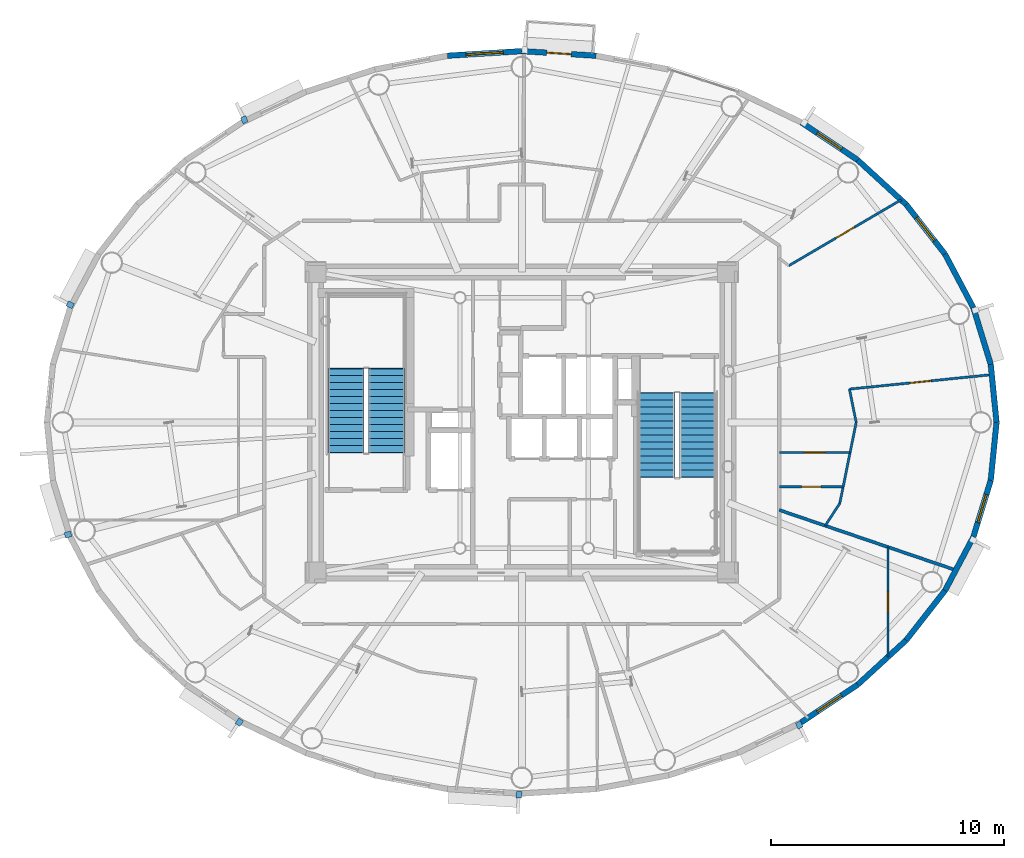
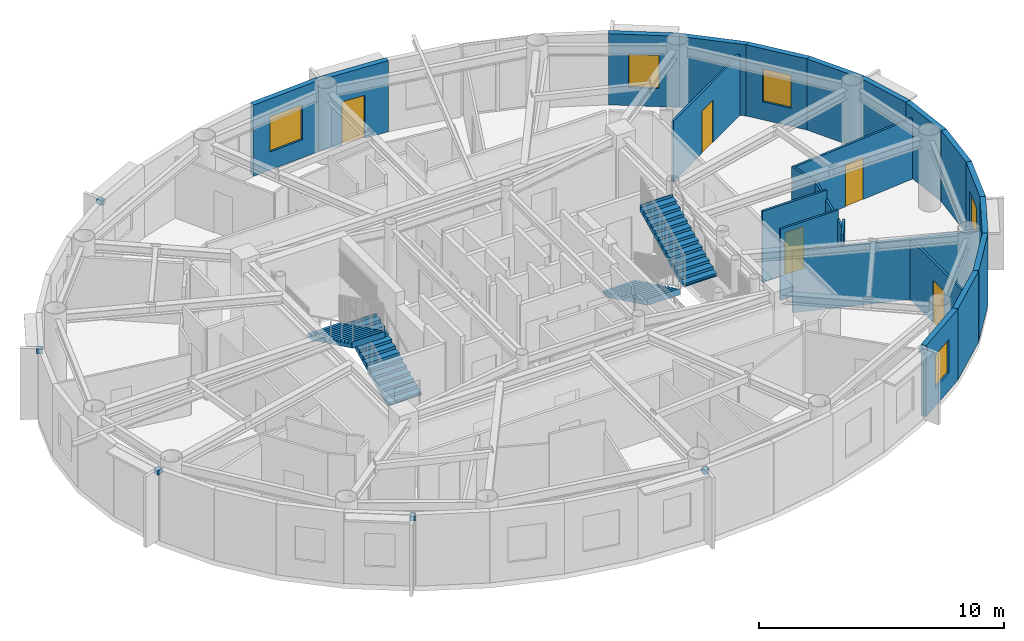
# One storey, part 10 of 17: 23 walls, 6 discrete accessories, 6 doors, 5 windows, 4 stair flights, 11 openings, 2 elements without a shape of their own.
"""IFC4 building model written with IfcOpenShell, lengths in metres."""

from ifc_helpers import new_model, si_unit, direction, frame, frame_2d, origin, origin_2d, place, context, subcontext, project, spatial, polyline, rectangle, outline, extrude, source, transform, mapped, material, layer, layer_set, type_object, element, fill, aggregate, save


model = new_model("IFC4")

# Units and contexts
model_context = context("Model", 3, precision=1e-05, world=origin(), true_north=direction((0.0, 1.0)))
body_context = subcontext(model_context, "Body", "Model", "MODEL_VIEW")
ifc_project = project(units=[si_unit("LENGTHUNIT", "METRE"), si_unit("AREAUNIT", "SQUARE_METRE"), si_unit("VOLUMEUNIT", "CUBIC_METRE"), si_unit("PLANEANGLEUNIT", "RADIAN"), si_unit("MASSUNIT", "GRAM", prefix="KILO")], contexts=[model_context])

# Site, building, storey
site_placement = place(None, origin())
site = spatial("IfcSite", under=ifc_project, at=site_placement, CompositionType="ELEMENT")
building_placement = place(site_placement, origin())
building = spatial("IfcBuilding", under=site, at=building_placement, Name="Linh Dai School and Residence Tower", CompositionType="ELEMENT")
storey_placement = place(building_placement, frame((0.0, 0.0, 331.60009765625)))
storey = spatial("IfcBuildingStorey", under=building, at=storey_placement, Name="L82", CompositionType="ELEMENT", Elevation=331.60009765625)

# Walls
ifc_material_1 = material(Name="Precast Concrete B45 (C35/45)", Category="concrete")
ifc_layer_1 = layer(ifc_material_1, 0.239990234375)
ifc_layer_set_1 = layer_set([ifc_layer_1], Name="Precast Concrete B45 (C35/45)")
wall_type_1 = type_object("IfcWallType", Name="EW-TC-240", PredefinedType="SOLIDWALL", material=ifc_layer_set_1)
wall_1_placement = place(storey_placement, frame((56.125, 29.48681640625, 0.0), z_axis=(0.0, 0.0, 1.0), x_axis=(0.100025963401, -0.994984827344, 0.0)))
element("IfcWall", 1, at=wall_1_placement, inside=storey, type_object=wall_type_1, Name="L82 Terracotta Exterior Wall 01", PredefinedType="SOLIDWALL", context=body_context, shape_type="SweptSolid", body=[
    extrude(rectangle(XDim=2.499267578125, YDim=0.239990234375, at=frame_2d((1.24951171875, 0.0))), origin(), (0.0, 0.0, 1.0), 3.5498046875),
])
wall_2_placement = place(storey_placement, frame((55.381103515625, 31.913330078125, 0.0), z_axis=(0.0, 0.0, 1.0), x_axis=(0.293105547213, -0.956080089842, 0.0)))
element("IfcWall", 2, at=wall_2_placement, inside=storey, type_object=wall_type_1, Name="L82 Terracotta Exterior Wall 02", PredefinedType="SOLIDWALL", context=body_context, shape_type="SweptSolid", body=[
    extrude(rectangle(XDim=2.5380859375, YDim=0.239990234375, at=frame_2d((1.26904296875, 0.0))), origin(), (0.0, 0.0, 1.0), 3.5498046875),
])
wall_3_placement = place(storey_placement, frame((54.160888671875, 34.220703125, 0.0), z_axis=(0.0, 0.0, 1.0), x_axis=(0.467487999989, -0.883999417345, 0.0)))
element("IfcWall", 3, at=wall_3_placement, inside=storey, type_object=wall_type_1, Name="L82 Terracotta Exterior Wall 03", PredefinedType="SOLIDWALL", context=body_context, shape_type="SweptSolid", body=[
    extrude(rectangle(XDim=2.610107421875, YDim=0.239990234375, at=frame_2d((1.30517578125, 0.0))), origin(), (0.0, 0.0, 1.0), 3.5498046875),
])

# Wall, opening, window
wall_4_placement = place(storey_placement, frame((52.4931640625, 36.351806640625, 0.0), z_axis=(0.0, 0.0, 1.0), x_axis=(0.616286367698, -0.78752213492, 0.0)))
wall_4 = element("IfcWall", 4, at=wall_4_placement, inside=storey, type_object=wall_type_1, Name="L82 Terracotta Exterior Wall 04", PredefinedType="SOLIDWALL", context=body_context, shape_type="SweptSolid", body=[
    extrude(rectangle(XDim=2.7060546875, YDim=0.239990234375, at=frame_2d((1.35302734375, 0.0))), origin(), (0.0, 0.0, 1.0), 3.5498046875),
])
opening_1_placement = place(wall_4_placement, frame((0.72802734375, 0.0, 0.89990234375)))
opening_1 = element("IfcOpeningElement", 5, at=opening_1_placement, cuts=wall_4, Name="Opening W3", PredefinedType="OPENING", context=body_context, shape_type="SweptSolid", body=[
    extrude(rectangle(XDim=1.25, YDim=1.64990234375, at=origin_2d()), frame((0.625, 0.1298828125, 0.824951171875), z_axis=(0.0, -1.0, 0.0), x_axis=(1.0, 0.0, 0.0)), (0.0, 0.0, 1.0), 0.260009765625),
])
ifc_material_2 = material(Name="Double Low-E Insulated Glazing", Category="glass")
window_type_1 = type_object("IfcWindowType", Name="WN-RES-1250x1650", PartitioningType="SINGLE_PANEL", PredefinedType="WINDOW", material=ifc_material_2)
shared_shape_1 = source(origin(), body_context, "Body", "SweptSolid", [
    extrude(rectangle(XDim=1.25, YDim=1.64990234375, at=origin_2d()), frame((0.625, 0.030029296875, 0.824951171875), z_axis=(0.0, -1.0, 0.0), x_axis=(1.0, 0.0, 0.0)), (0.0, 0.0, 1.0), 0.06005859375),
])
window_1_placement = place(opening_1_placement, origin())
window_1 = element("IfcWindow", 6, at=window_1_placement, inside=storey, type_object=window_type_1, Name="L82 Dwelling Window U8207-LIV", OverallHeight=1.64990234375, OverallWidth=1.25, PartitioningType="SINGLE_PANEL", PredefinedType="WINDOW", context=body_context, shape_type="MappedRepresentation", body=[
    mapped(shared_shape_1, transform((0.0, 0.0, 0.0), x_axis=(1.0, 0.0, 0.0), y_axis=(0.0, 1.0, 0.0), z_axis=(0.0, 0.0, 1.0), scale=1.0)),
])
fill(opening_1, window_1)

# Wall
wall_5_placement = place(storey_placement, frame((50.418701171875, 38.254150390625, 0.0), z_axis=(0.0, 0.0, 1.0), x_axis=(0.737020907932, -0.675869944051, 0.0)))
element("IfcWall", 7, at=wall_5_placement, inside=storey, type_object=wall_type_1, Name="L82 Terracotta Exterior Wall 05", PredefinedType="SOLIDWALL", context=body_context, shape_type="SweptSolid", body=[
    extrude(rectangle(XDim=2.814697265625, YDim=0.239990234375, at=frame_2d((1.4072265625, 0.0))), origin(), (0.0, 0.0, 1.0), 3.5498046875),
])

# Wall, opening, window
wall_6_placement = place(storey_placement, frame((47.98779296875, 39.880126953125, 0.0), z_axis=(0.0, 0.0, 1.0), x_axis=(0.831201688654, -0.555970999944, 0.0)))
wall_6 = element("IfcWall", 8, at=wall_6_placement, inside=storey, type_object=wall_type_1, Name="L82 Terracotta Exterior Wall 06", PredefinedType="SOLIDWALL", context=body_context, shape_type="SweptSolid", body=[
    extrude(rectangle(XDim=2.924560546875, YDim=0.239990234375, at=frame_2d((1.46240234375, 0.0))), origin(), (0.0, 0.0, 1.0), 3.5498046875),
])
opening_2_placement = place(wall_6_placement, frame((0.837158203125, 0.0, 0.89990234375)))
opening_2 = element("IfcOpeningElement", 9, at=opening_2_placement, cuts=wall_6, Name="Opening W3", PredefinedType="OPENING", context=body_context, shape_type="SweptSolid", body=[
    extrude(rectangle(XDim=1.25, YDim=1.64990234375, at=origin_2d()), frame((0.625, 0.1298828125, 0.824951171875), z_axis=(0.0, -1.0, 0.0), x_axis=(1.0, 0.0, 0.0)), (0.0, 0.0, 1.0), 0.260009765625),
])
window_2_placement = place(opening_2_placement, origin())
window_2 = element("IfcWindow", 10, at=window_2_placement, inside=storey, type_object=window_type_1, Name="L82 Exterior Window 06.1", OverallHeight=1.64990234375, OverallWidth=1.25, PartitioningType="SINGLE_PANEL", PredefinedType="WINDOW", context=body_context, shape_type="MappedRepresentation", body=[
    mapped(shared_shape_1, transform((0.0, 0.0, 0.0), x_axis=(1.0, 0.0, 0.0), y_axis=(0.0, 1.0, 0.0), z_axis=(0.0, 0.0, 1.0), scale=1.0)),
])
fill(opening_2, window_2)

# Wall, opening, door
wall_7_placement = place(storey_placement, frame((36.0, 42.929931640625, 0.0), z_axis=(0.0, 0.0, 1.0), x_axis=(0.998109204399, -0.061465568355, 0.0)))
wall_7 = element("IfcWall", 11, at=wall_7_placement, inside=storey, type_object=wall_type_1, Name="L82 Terracotta Exterior Wall 10", PredefinedType="SOLIDWALL", context=body_context, shape_type="SweptSolid", body=[
    extrude(rectangle(XDim=3.197509765625, YDim=0.239990234375, at=frame_2d((1.5986328125, 0.0))), origin(), (0.0, 0.0, 1.0), 3.5498046875),
])
opening_3_placement = place(wall_7_placement, frame((1.07373046875, 0.0, 0.0)))
opening_3 = element("IfcOpeningElement", 12, at=opening_3_placement, cuts=wall_7, Name="Opening BD1", PredefinedType="OPENING", context=body_context, shape_type="SweptSolid", body=[
    extrude(rectangle(XDim=1.050048828125, YDim=2.14990234375, at=origin_2d()), frame((0.52490234375, 0.1298828125, 1.074951171875), z_axis=(0.0, -1.0, 0.0), x_axis=(1.0, 0.0, 0.0)), (0.0, 0.0, 1.0), 0.260009765625),
])
ifc_material_3 = material(Name="Double-Glazed Balcony Door", Category="glass")
door_type_1 = type_object("IfcDoorType", Name="DR-BALC-1050x2150", OperationType="NOTDEFINED", PredefinedType="DOOR", material=ifc_material_3)
shared_shape_2 = source(origin(), body_context, "Body", "SweptSolid", [
    extrude(rectangle(XDim=1.050048828125, YDim=2.14990234375, at=origin_2d()), frame((0.52490234375, 0.02490234375, 1.074951171875), z_axis=(0.0, -1.0, 0.0), x_axis=(1.0, 0.0, 0.0)), (0.0, 0.0, 1.0), 0.050048828125),
])
door_1_placement = place(opening_3_placement, origin())
door_1 = element("IfcDoor", 13, at=door_1_placement, inside=storey, type_object=door_type_1, Name="L82 Glazed Balcony Door 10", OperationType="SINGLE_SWING_LEFT", OverallHeight=2.14990234375, OverallWidth=1.050048828125, PredefinedType="DOOR", context=body_context, shape_type="MappedRepresentation", body=[
    mapped(shared_shape_2, transform((0.0, 0.0, 0.0), x_axis=(1.0, 0.0, 0.0), y_axis=(0.0, 1.0, 0.0), z_axis=(0.0, 0.0, 1.0), scale=1.0)),
])
fill(opening_3, door_1)

# Wall, opening, window
wall_8_placement = place(storey_placement, frame((32.80859375, 42.7333984375, 0.0), z_axis=(0.0, 0.0, 1.0), x_axis=(0.998109204399, 0.061465568355, 0.0)))
wall_8 = element("IfcWall", 14, at=wall_8_placement, inside=storey, type_object=wall_type_1, Name="L82 Terracotta Exterior Wall 11", PredefinedType="SOLIDWALL", context=body_context, shape_type="SweptSolid", body=[
    extrude(rectangle(XDim=3.197509765625, YDim=0.239990234375, at=frame_2d((1.5986328125, 0.0))), origin(), (0.0, 0.0, 1.0), 3.5498046875),
])
opening_4_placement = place(wall_8_placement, frame((0.798828125, 0.0, 0.89990234375)))
opening_4 = element("IfcOpeningElement", 15, at=opening_4_placement, cuts=wall_8, Name="Opening W2", PredefinedType="OPENING", context=body_context, shape_type="SweptSolid", body=[
    extrude(rectangle(XDim=1.60009765625, YDim=1.75, at=origin_2d()), frame((0.800048828125, 0.1298828125, 0.875), z_axis=(0.0, -1.0, 0.0), x_axis=(1.0, 0.0, 0.0)), (0.0, 0.0, 1.0), 0.260009765625),
])
window_type_2 = type_object("IfcWindowType", Name="WN-RES-1600x1750", PartitioningType="DOUBLE_PANEL_VERTICAL", PredefinedType="WINDOW", material=ifc_material_2)
shared_shape_3 = source(origin(), body_context, "Body", "SweptSolid", [
    extrude(rectangle(XDim=1.60009765625, YDim=1.75, at=origin_2d()), frame((0.800048828125, 0.030029296875, 0.875), z_axis=(0.0, -1.0, 0.0), x_axis=(1.0, 0.0, 0.0)), (0.0, 0.0, 1.0), 0.06005859375),
])
window_3_placement = place(opening_4_placement, origin())
window_3 = element("IfcWindow", 16, at=window_3_placement, inside=storey, type_object=window_type_2, Name="L82 Exterior Window 11.1", OverallHeight=1.75, OverallWidth=1.60009765625, PartitioningType="DOUBLE_PANEL_VERTICAL", PredefinedType="WINDOW", context=body_context, shape_type="MappedRepresentation", body=[
    mapped(shared_shape_3, transform((0.0, 0.0, 0.0), x_axis=(1.0, 0.0, 0.0), y_axis=(0.0, 1.0, 0.0), z_axis=(0.0, 0.0, 1.0), scale=1.0)),
])
fill(opening_4, window_3)

wall_9_placement = place(storey_placement, frame((50.418701171875, 15.745849609375, 0.0), z_axis=(0.0, 0.0, 1.0), x_axis=(-0.831201688654, -0.555970999944, 0.0)))
wall_9 = element("IfcWall", 17, at=wall_9_placement, inside=storey, type_object=wall_type_1, Name="L82 Terracotta Exterior Wall 35", PredefinedType="SOLIDWALL", context=body_context, shape_type="SweptSolid", body=[
    extrude(rectangle(XDim=2.924560546875, YDim=0.239990234375, at=frame_2d((1.46240234375, 0.0))), origin(), (0.0, 0.0, 1.0), 3.5498046875),
])
opening_5_placement = place(wall_9_placement, frame((0.837158203125, 0.0, 0.89990234375)))
opening_5 = element("IfcOpeningElement", 18, at=opening_5_placement, cuts=wall_9, Name="Opening W3", PredefinedType="OPENING", context=body_context, shape_type="SweptSolid", body=[
    extrude(rectangle(XDim=1.25, YDim=1.64990234375, at=origin_2d()), frame((0.625, 0.1298828125, 0.824951171875), z_axis=(0.0, -1.0, 0.0), x_axis=(1.0, 0.0, 0.0)), (0.0, 0.0, 1.0), 0.260009765625),
])
window_4_placement = place(opening_5_placement, origin())
window_4 = element("IfcWindow", 19, at=window_4_placement, inside=storey, type_object=window_type_1, Name="L82 Dwelling Window U8206-LIV", OverallHeight=1.64990234375, OverallWidth=1.25, PartitioningType="SINGLE_PANEL", PredefinedType="WINDOW", context=body_context, shape_type="MappedRepresentation", body=[
    mapped(shared_shape_1, transform((0.0, 0.0, 0.0), x_axis=(1.0, 0.0, 0.0), y_axis=(0.0, 1.0, 0.0), z_axis=(0.0, 0.0, 1.0), scale=1.0)),
])
fill(opening_5, window_4)

# Walls
wall_10_placement = place(storey_placement, frame((52.4931640625, 17.648193359375, 0.0), z_axis=(0.0, 0.0, 1.0), x_axis=(-0.737020907932, -0.675869944051, 0.0)))
element("IfcWall", 20, at=wall_10_placement, inside=storey, type_object=wall_type_1, Name="L82 Terracotta Exterior Wall 36", PredefinedType="SOLIDWALL", context=body_context, shape_type="SweptSolid", body=[
    extrude(rectangle(XDim=2.814697265625, YDim=0.239990234375, at=frame_2d((1.4072265625, 0.0))), origin(), (0.0, 0.0, 1.0), 3.5498046875),
])
wall_11_placement = place(storey_placement, frame((54.160888671875, 19.779296875, 0.0), z_axis=(0.0, 0.0, 1.0), x_axis=(-0.616286367698, -0.78752213492, 0.0)))
element("IfcWall", 21, at=wall_11_placement, inside=storey, type_object=wall_type_1, Name="L82 Terracotta Exterior Wall 37", PredefinedType="SOLIDWALL", context=body_context, shape_type="SweptSolid", body=[
    extrude(rectangle(XDim=2.7060546875, YDim=0.239990234375, at=frame_2d((1.35302734375, 0.0))), origin(), (0.0, 0.0, 1.0), 3.5498046875),
])
wall_12_placement = place(storey_placement, frame((55.381103515625, 22.086669921875, 0.0), z_axis=(0.0, 0.0, 1.0), x_axis=(-0.467487999989, -0.883999417345, 0.0)))
element("IfcWall", 22, at=wall_12_placement, inside=storey, type_object=wall_type_1, Name="L82 Terracotta Exterior Wall 38", PredefinedType="SOLIDWALL", context=body_context, shape_type="SweptSolid", body=[
    extrude(rectangle(XDim=2.610107421875, YDim=0.239990234375, at=frame_2d((1.30517578125, 0.0))), origin(), (0.0, 0.0, 1.0), 3.5498046875),
])

# Wall, opening, window
wall_13_placement = place(storey_placement, frame((56.125, 24.51318359375, 0.0), z_axis=(0.0, 0.0, 1.0), x_axis=(-0.293105547213, -0.956080089842, 0.0)))
wall_13 = element("IfcWall", 23, at=wall_13_placement, inside=storey, type_object=wall_type_1, Name="L82 Terracotta Exterior Wall 39", PredefinedType="SOLIDWALL", context=body_context, shape_type="SweptSolid", body=[
    extrude(rectangle(XDim=2.5380859375, YDim=0.239990234375, at=frame_2d((1.26904296875, 0.0))), origin(), (0.0, 0.0, 1.0), 3.5498046875),
])
opening_6_placement = place(wall_13_placement, frame((0.64404296875, 0.0, 0.89990234375)))
opening_6 = element("IfcOpeningElement", 24, at=opening_6_placement, cuts=wall_13, Name="Opening W3", PredefinedType="OPENING", context=body_context, shape_type="SweptSolid", body=[
    extrude(rectangle(XDim=1.25, YDim=1.64990234375, at=origin_2d()), frame((0.625, 0.1298828125, 0.824951171875), z_axis=(0.0, -1.0, 0.0), x_axis=(1.0, 0.0, 0.0)), (0.0, 0.0, 1.0), 0.260009765625),
])
window_5_placement = place(opening_6_placement, origin())
window_5 = element("IfcWindow", 25, at=window_5_placement, inside=storey, type_object=window_type_1, Name="L82 Dwelling Window U8207-BD1", OverallHeight=1.64990234375, OverallWidth=1.25, PartitioningType="SINGLE_PANEL", PredefinedType="WINDOW", context=body_context, shape_type="MappedRepresentation", body=[
    mapped(shared_shape_1, transform((0.0, 0.0, 0.0), x_axis=(1.0, 0.0, 0.0), y_axis=(0.0, 1.0, 0.0), z_axis=(0.0, 0.0, 1.0), scale=1.0)),
])
fill(opening_6, window_5)

# Walls
wall_14_placement = place(storey_placement, frame((56.375, 27.0, 0.0), z_axis=(0.0, 0.0, 1.0), x_axis=(-0.100025963401, -0.994984827344, 0.0)))
element("IfcWall", 26, at=wall_14_placement, inside=storey, type_object=wall_type_1, Name="L82 Terracotta Exterior Wall 40", PredefinedType="SOLIDWALL", context=body_context, shape_type="SweptSolid", body=[
    extrude(rectangle(XDim=2.499267578125, YDim=0.239990234375, at=frame_2d((1.24951171875, 0.0))), origin(), (0.0, 0.0, 1.0), 3.5498046875),
])
ifc_material_4 = material(Name="Autoclaved Aerated Concrete Blockwork", Category="masonry")
ifc_layer_2 = layer(ifc_material_4, 0.135009765625)
ifc_layer_set_2 = layer_set([ifc_layer_2], Name="Autoclaved Aerated Concrete Blockwork")
wall_type_2 = type_object("IfcWallType", Name="IW-CORR-135-EI90", PredefinedType="PARTITIONING", material=ifc_layer_set_2)
wall_15_placement = place(storey_placement, frame((47.050048828125, 23.236572265625, 0.0), z_axis=(0.0, 0.0, 1.0), x_axis=(0.946614475353, -0.32236785673, 0.0)))
element("IfcWall", 27, at=wall_15_placement, inside=storey, type_object=wall_type_2, Name="L82 Interior Partition Wall 083", PredefinedType="PARTITIONING", context=body_context, shape_type="SweptSolid", body=[
    extrude(rectangle(XDim=8.00732421875, YDim=0.135009765625, at=frame_2d((4.003662109375, 0.0))), origin(), (0.0, 0.0, 1.0), 3.034912109375),
])

# Wall, opening, door
ifc_material_5 = material(Name="Gypsum Plasterboard Acoustic Stud Partition", Category="masonry")
ifc_layer_3 = layer(ifc_material_5, 0.10009765625)
ifc_layer_set_3 = layer_set([ifc_layer_3], Name="Gypsum Plasterboard Acoustic Stud Partition")
wall_type_3 = type_object("IfcWallType", Name="IW-UNIT-100", PredefinedType="PARTITIONING", material=ifc_layer_set_3)
wall_16_placement = place(storey_placement, frame((47.050048828125, 24.2353515625, 0.0), z_axis=(0.0, 0.0, 1.0), x_axis=(1.0, 0.0, 0.0)))
wall_16 = element("IfcWall", 28, at=wall_16_placement, inside=storey, type_object=wall_type_3, Name="L82 Interior Partition Wall 084", PredefinedType="PARTITIONING", context=body_context, shape_type="SweptSolid", body=[
    extrude(rectangle(XDim=2.74072265625, YDim=0.10009765625, at=frame_2d((1.370361328125, 0.0))), origin(), (0.0, 0.0, 1.0), 3.5498046875),
])
opening_7_placement = place(wall_16_placement, frame((0.96044921875, 0.0, 0.0)))
opening_7 = element("IfcOpeningElement", 29, at=opening_7_placement, cuts=wall_16, Name="Opening D06", PredefinedType="OPENING", context=body_context, shape_type="SweptSolid", body=[
    extrude(rectangle(XDim=0.820068359375, YDim=2.10009765625, at=origin_2d()), frame((0.41015625, 0.06005859375, 1.050048828125), z_axis=(0.0, -1.0, 0.0), x_axis=(1.0, 0.0, 0.0)), (0.0, 0.0, 1.0), 0.1201171875),
])
ifc_material_6 = material(Name="Moisture-Resistant Timber Bathroom Door", Category="wood")
door_type_2 = type_object("IfcDoorType", Name="DR-WET-820x2100", OperationType="NOTDEFINED", PredefinedType="DOOR", material=ifc_material_6)
shared_shape_4 = source(origin(), body_context, "Body", "SweptSolid", [
    extrude(rectangle(XDim=0.820068359375, YDim=2.10009765625, at=origin_2d()), frame((0.41015625, 0.02490234375, 1.050048828125), z_axis=(0.0, -1.0, 0.0), x_axis=(1.0, 0.0, 0.0)), (0.0, 0.0, 1.0), 0.050048828125),
])
door_2_placement = place(opening_7_placement, origin())
door_2 = element("IfcDoor", 30, at=door_2_placement, inside=storey, type_object=door_type_2, Name="L82 Apartment U8207 Bathroom 1 Door", OperationType="SINGLE_SWING_RIGHT", OverallHeight=2.10009765625, OverallWidth=0.820068359375, PredefinedType="DOOR", context=body_context, shape_type="MappedRepresentation", body=[
    mapped(shared_shape_4, transform((0.0, 0.0, 0.0), x_axis=(1.0, 0.0, 0.0), y_axis=(0.0, 1.0, 0.0), z_axis=(0.0, 0.0, 1.0), scale=1.0)),
])
fill(opening_7, door_2)

wall_17_placement = place(storey_placement, frame((47.050048828125, 25.705078125, 0.0), z_axis=(0.0, 0.0, 1.0), x_axis=(1.0, 0.0, 0.0)))
wall_17 = element("IfcWall", 31, at=wall_17_placement, inside=storey, type_object=wall_type_3, Name="L82 Interior Partition Wall 085", PredefinedType="PARTITIONING", context=body_context, shape_type="SweptSolid", body=[
    extrude(rectangle(XDim=3.0380859375, YDim=0.10009765625, at=frame_2d((1.51904296875, 0.0))), origin(), (0.0, 0.0, 1.0), 3.5498046875),
])
opening_8_placement = place(wall_17_placement, frame((1.069091796875, 0.0, 0.0)))
opening_8 = element("IfcOpeningElement", 32, at=opening_8_placement, cuts=wall_17, Name="Opening D05", PredefinedType="OPENING", context=body_context, shape_type="SweptSolid", body=[
    extrude(rectangle(XDim=0.89990234375, YDim=2.10009765625, at=origin_2d()), frame((0.449951171875, 0.06005859375, 1.050048828125), z_axis=(0.0, -1.0, 0.0), x_axis=(1.0, 0.0, 0.0)), (0.0, 0.0, 1.0), 0.1201171875),
])
ifc_material_7 = material(Name="Engineered Timber Internal Door", Category="wood")
door_type_3 = type_object("IfcDoorType", Name="DR-INT-900x2100", OperationType="NOTDEFINED", PredefinedType="DOOR", material=ifc_material_7)
shared_shape_5 = source(origin(), body_context, "Body", "SweptSolid", [
    extrude(rectangle(XDim=0.89990234375, YDim=2.10009765625, at=origin_2d()), frame((0.449951171875, 0.02490234375, 1.050048828125), z_axis=(0.0, -1.0, 0.0), x_axis=(1.0, 0.0, 0.0)), (0.0, 0.0, 1.0), 0.050048828125),
])
door_3_placement = place(opening_8_placement, origin())
door_3 = element("IfcDoor", 33, at=door_3_placement, inside=storey, type_object=door_type_3, Name="L82 Apartment U8207 Kitchen Door", OperationType="SINGLE_SWING_LEFT", OverallHeight=2.10009765625, OverallWidth=0.89990234375, PredefinedType="DOOR", context=body_context, shape_type="MappedRepresentation", body=[
    mapped(shared_shape_5, transform((0.0, 0.0, 0.0), x_axis=(1.0, 0.0, 0.0), y_axis=(0.0, 1.0, 0.0), z_axis=(0.0, 0.0, 1.0), scale=1.0)),
])
fill(opening_8, door_3)

wall_18_placement = place(storey_placement, frame((47.4599609375, 33.722900390625, 0.0), z_axis=(0.0, 0.0, 1.0), x_axis=(0.862533037069, 0.506000750952, 0.0)))
wall_18 = element("IfcWall", 34, at=wall_18_placement, inside=storey, type_object=wall_type_3, Name="L82 Interior Partition Wall 087", PredefinedType="PARTITIONING", context=body_context, shape_type="SweptSolid", body=[
    extrude(rectangle(XDim=5.591064453125, YDim=0.10009765625, at=frame_2d((2.79541015625, 0.0))), origin(), (0.0, 0.0, 1.0), 3.034912109375),
])
opening_9_placement = place(wall_18_placement, frame((2.345458984375, 0.0, 0.0)))
opening_9 = element("IfcOpeningElement", 35, at=opening_9_placement, cuts=wall_18, Name="Opening D05", PredefinedType="OPENING", context=body_context, shape_type="SweptSolid", body=[
    extrude(rectangle(XDim=0.89990234375, YDim=2.10009765625, at=origin_2d()), frame((0.449951171875, 0.06005859375, 1.050048828125), z_axis=(0.0, -1.0, 0.0), x_axis=(1.0, 0.0, 0.0)), (0.0, 0.0, 1.0), 0.1201171875),
])
door_4_placement = place(opening_9_placement, origin())
door_4 = element("IfcDoor", 36, at=door_4_placement, inside=storey, type_object=door_type_3, Name="L82 Apartment U8207 Bedroom 2 Door", OperationType="SINGLE_SWING_RIGHT", OverallHeight=2.10009765625, OverallWidth=0.89990234375, PredefinedType="DOOR", context=body_context, shape_type="MappedRepresentation", body=[
    mapped(shared_shape_5, transform((0.0, 0.0, 0.0), x_axis=(1.0, 0.0, 0.0), y_axis=(0.0, 1.0, 0.0), z_axis=(0.0, 0.0, 1.0), scale=1.0)),
])
fill(opening_9, door_4)

# Walls
wall_19_placement = place(storey_placement, frame((49.021728515625, 22.565185546875, 0.0), z_axis=(0.0, 0.0, 1.0), x_axis=(0.545436909984, 0.838151881957, 0.0)))
element("IfcWall", 37, at=wall_19_placement, inside=storey, type_object=wall_type_3, Name="L82 Interior Partition Wall 088", PredefinedType="PARTITIONING", context=body_context, shape_type="SweptSolid", body=[
    extrude(rectangle(XDim=1.147705078125, YDim=0.10009765625, at=frame_2d((0.57373046875, 0.0))), origin(), (0.0, 0.0, 1.0), 3.5498046875),
])
wall_20_placement = place(storey_placement, frame((49.647705078125, 23.527099609375, 0.0), z_axis=(0.0, 0.0, 1.0), x_axis=(0.198249177906, 0.980151653296, 0.0)))
element("IfcWall", 38, at=wall_20_placement, inside=storey, type_object=wall_type_3, Name="L82 Interior Partition Wall 089", PredefinedType="PARTITIONING", context=body_context, shape_type="SweptSolid", body=[
    extrude(rectangle(XDim=3.54296875, YDim=0.10009765625, at=frame_2d((1.771484375, 0.0))), origin(), (0.0, 0.0, 1.0), 3.0849609375),
])
wall_21_placement = place(storey_placement, frame((50.061279296875, 28.427001953125, 0.0), z_axis=(0.0, 0.0, 1.0), x_axis=(0.198372931515, -0.980126614291, 0.0)))
element("IfcWall", 39, at=wall_21_placement, inside=storey, type_object=wall_type_3, Name="L82 Interior Partition Wall 090", PredefinedType="PARTITIONING", context=body_context, shape_type="SweptSolid", body=[
    extrude(rectangle(XDim=1.4560546875, YDim=0.10009765625, at=frame_2d((0.72802734375, 0.0))), origin(), (0.0, 0.0, 1.0), 3.0849609375),
])

# Wall, opening, door
wall_22_placement = place(storey_placement, frame((50.061279296875, 28.427001953125, 0.0), z_axis=(0.0, 0.0, 1.0), x_axis=(0.994890167578, 0.100963134143, 0.0)))
wall_22 = element("IfcWall", 40, at=wall_22_placement, inside=storey, type_object=wall_type_3, Name="L82 Interior Partition Wall 091", PredefinedType="PARTITIONING", context=body_context, shape_type="SweptSolid", body=[
    extrude(rectangle(XDim=6.14453125, YDim=0.10009765625, at=frame_2d((3.072265625, 0.0))), origin(), (0.0, 0.0, 1.0), 3.034912109375),
])
opening_10_placement = place(wall_22_placement, frame((2.6220703125, 0.0, 0.0)))
opening_10 = element("IfcOpeningElement", 41, at=opening_10_placement, cuts=wall_22, Name="Opening D05", PredefinedType="OPENING", context=body_context, shape_type="SweptSolid", body=[
    extrude(rectangle(XDim=0.89990234375, YDim=2.10009765625, at=origin_2d()), frame((0.449951171875, 0.06005859375, 1.050048828125), z_axis=(0.0, -1.0, 0.0), x_axis=(1.0, 0.0, 0.0)), (0.0, 0.0, 1.0), 0.1201171875),
])
door_5_placement = place(opening_10_placement, origin())
door_5 = element("IfcDoor", 42, at=door_5_placement, inside=storey, type_object=door_type_3, Name="L82 Apartment U8207 Principal Bedroom 1 Door", OperationType="SINGLE_SWING_LEFT", OverallHeight=2.10009765625, OverallWidth=0.89990234375, PredefinedType="DOOR", context=body_context, shape_type="MappedRepresentation", body=[
    mapped(shared_shape_5, transform((0.0, 0.0, 0.0), x_axis=(1.0, 0.0, 0.0), y_axis=(0.0, 1.0, 0.0), z_axis=(0.0, 0.0, 1.0), scale=1.0)),
])
fill(opening_10, door_5)

wall_23_placement = place(storey_placement, frame((51.713134765625, 16.926025390625, 0.0), z_axis=(0.0, 0.0, 1.0), x_axis=(0.0, 1.0, 0.0)))
wall_23 = element("IfcWall", 43, at=wall_23_placement, inside=storey, type_object=wall_type_3, Name="L82 Interior Partition Wall 092", PredefinedType="PARTITIONING", context=body_context, shape_type="SweptSolid", body=[
    extrude(rectangle(XDim=4.722412109375, YDim=0.10009765625, at=frame_2d((2.361328125, 0.0))), origin(), (0.0, 0.0, 1.0), 3.034912109375),
])
opening_11_placement = place(wall_23_placement, frame((1.9111328125, 0.0, 0.0)))
opening_11 = element("IfcOpeningElement", 44, at=opening_11_placement, cuts=wall_23, Name="Opening D05", PredefinedType="OPENING", context=body_context, shape_type="SweptSolid", body=[
    extrude(rectangle(XDim=0.89990234375, YDim=2.10009765625, at=origin_2d()), frame((0.449951171875, 0.06005859375, 1.050048828125), z_axis=(0.0, -1.0, 0.0), x_axis=(1.0, 0.0, 0.0)), (0.0, 0.0, 1.0), 0.1201171875),
])
door_6_placement = place(opening_11_placement, origin())
door_6 = element("IfcDoor", 45, at=door_6_placement, inside=storey, type_object=door_type_3, Name="L82 Apartment U8206 Kitchen Door", OperationType="SINGLE_SWING_LEFT", OverallHeight=2.10009765625, OverallWidth=0.89990234375, PredefinedType="DOOR", context=body_context, shape_type="MappedRepresentation", body=[
    mapped(shared_shape_5, transform((0.0, 0.0, 0.0), x_axis=(1.0, 0.0, 0.0), y_axis=(0.0, 1.0, 0.0), z_axis=(0.0, 0.0, 1.0), scale=1.0)),
])
fill(opening_11, door_6)

# Stair, stair flights
ifc_material_8 = material(Name="Concrete B45 (C35/45)", Category="concrete")
stair_type = type_object("IfcStairType", Name="ST-DOG-1550-R1462", PredefinedType="HALF_TURN_STAIR", material=ifc_material_8)
stair_1_placement = place(storey_placement, origin())
stair_1 = element("IfcStair", 46, at=stair_1_placement, inside=storey, type_object=stair_type, Name="L82 Core Smokeproof Exit Stair ST1", PredefinedType="HALF_TURN_STAIR")
stair_flight_type = type_object("IfcStairFlightType", Name="STF-STR-1550-R1462", PredefinedType="STRAIGHT", material=ifc_material_8)
shared_shape_6 = source(origin(), body_context, "Body", "SweptSolid", [
    extrude(outline(polyline([(-0.02490234375, 0.0), (-0.02490234375, 0.06005859375), (0.0, 0.06005859375), (0.0, 0.146240234375), (0.300048828125, 0.146240234375), (0.300048828125, 0.292236328125), (0.60009765625, 0.292236328125), (0.60009765625, 0.4384765625), (0.89990234375, 0.4384765625), (0.89990234375, 0.584716796875), (1.199951171875, 0.584716796875), (1.199951171875, 0.730712890625), (1.5, 0.730712890625), (1.5, 0.876953125), (1.800048828125, 0.876953125), (1.800048828125, 1.023193359375), (2.10009765625, 1.023193359375), (2.10009765625, 1.169189453125), (2.39990234375, 1.169189453125), (2.39990234375, 1.3154296875), (2.699951171875, 1.3154296875), (2.699951171875, 1.46142578125), (3.0, 1.46142578125), (3.0, 1.607666015625), (3.300048828125, 1.607666015625), (3.300048828125, 1.75390625), (3.60009765625, 1.75390625), (3.60009765625, 1.89990234375), (3.625, 1.89990234375), (3.625, 1.587158203125), (3.60009765625, 1.587158203125), (0.34228515625, 0.0), (-0.02490234375, 0.0)])), frame((0.0, 0.77490234375, 0.0), z_axis=(0.0, -1.0, 0.0), x_axis=(1.0, 0.0, 0.0)), (0.0, 0.0, 1.0), 1.550048828125),
])
stair_flight_1_placement = place(storey_placement, frame((30.205078125, 25.699951171875, 0.0), z_axis=(0.0, 0.0, 1.0), x_axis=(0.0, 1.0, 0.0)))
stair_flight_1 = element("IfcStairFlight", 47, at=stair_flight_1_placement, type_object=stair_flight_type, Name="ST1 flight 1", NumberOfRisers=13, NumberOfTreads=12, PredefinedType="STRAIGHT", RiserHeight=0.146153846, TreadLength=0.3, context=body_context, shape_type="MappedRepresentation", body=[
    mapped(shared_shape_6, transform((0.0, 0.0, 0.0), x_axis=(1.0, 0.0, 0.0), y_axis=(0.0, 1.0, 0.0), z_axis=(0.0, 0.0, 1.0), scale=1.0)),
])
stair_flight_2_placement = place(storey_placement, frame((28.455078125, 29.300048828125, 1.89990234375), z_axis=(0.0, 0.0, 1.0), x_axis=(0.0, -1.0, 0.0)))
stair_flight_2 = element("IfcStairFlight", 48, at=stair_flight_2_placement, type_object=stair_flight_type, Name="ST1 flight 2", NumberOfRisers=13, NumberOfTreads=12, PredefinedType="STRAIGHT", RiserHeight=0.146153846, TreadLength=0.3, context=body_context, shape_type="MappedRepresentation", body=[
    mapped(shared_shape_6, transform((0.0, 0.0, 0.0), x_axis=(1.0, 0.0, 0.0), y_axis=(0.0, 1.0, 0.0), z_axis=(0.0, 0.0, 1.0), scale=1.0)),
])
aggregate(stair_1, [stair_flight_1, stair_flight_2])

stair_2_placement = place(storey_placement, origin())
stair_2 = element("IfcStair", 49, at=stair_2_placement, inside=storey, type_object=stair_type, Name="L82 Core Smokeproof Exit Stair ST2", PredefinedType="HALF_TURN_STAIR")
stair_flight_3_placement = place(storey_placement, frame((41.794921875, 28.25, 0.0), z_axis=(0.0, 0.0, 1.0), x_axis=(0.0, -1.0, 0.0)))
stair_flight_3 = element("IfcStairFlight", 50, at=stair_flight_3_placement, type_object=stair_flight_type, Name="ST2 flight 1", NumberOfRisers=13, NumberOfTreads=12, PredefinedType="STRAIGHT", RiserHeight=0.146153846, TreadLength=0.3, context=body_context, shape_type="MappedRepresentation", body=[
    mapped(shared_shape_6, transform((0.0, 0.0, 0.0), x_axis=(1.0, 0.0, 0.0), y_axis=(0.0, 1.0, 0.0), z_axis=(0.0, 0.0, 1.0), scale=1.0)),
])
stair_flight_4_placement = place(storey_placement, frame((43.544921875, 24.64990234375, 1.89990234375), z_axis=(0.0, 0.0, 1.0), x_axis=(0.0, 1.0, 0.0)))
stair_flight_4 = element("IfcStairFlight", 51, at=stair_flight_4_placement, type_object=stair_flight_type, Name="ST2 flight 2", NumberOfRisers=13, NumberOfTreads=12, PredefinedType="STRAIGHT", RiserHeight=0.146153846, TreadLength=0.3, context=body_context, shape_type="MappedRepresentation", body=[
    mapped(shared_shape_6, transform((0.0, 0.0, 0.0), x_axis=(1.0, 0.0, 0.0), y_axis=(0.0, 1.0, 0.0), z_axis=(0.0, 0.0, 1.0), scale=1.0)),
])
aggregate(stair_2, [stair_flight_3, stair_flight_4])

# Discrete accessories
ifc_material_9 = material(Name="Structural Steel S355JR", Category="steel")
discrete_accessory_type = type_object("IfcDiscreteAccessoryType", Name="ACC-BRK-S355", PredefinedType="BRACKET", material=ifc_material_9)
shared_shape_7 = source(origin(), body_context, "Body", "SweptSolid", [
    extrude(rectangle(XDim=0.280029296875, YDim=0.239990234375, at=origin_2d()), origin(), (0.0, 0.0, 1.0), 0.219970703125),
])
for number, where, z_axis, x_axis, name in (
    (52, (24.094482421875, 39.986083984375, 3.2998046875), (0.0, 0.0, 1.0), (-0.432673572418, 0.901550652892, 0.0), "L82 Facade Frame Anchor Bracket 14"),
    (53, (16.621826171875, 32.047607421875, 3.2998046875), (0.0, 0.0, 1.0), (-0.883971809156, 0.46754020214, 0.0), "L82 Facade Frame Anchor Bracket 18"),
    (54, (16.5263671875, 22.183837890625, 3.2998046875), (0.0, 0.0, 1.0), (-0.956083389379, -0.293094784248, 0.0), "L82 Facade Frame Anchor Bracket 22"),
    (55, (23.879150390625, 14.13671875, 3.2998046875), (0.0, 0.0, 1.0), (-0.555970777144, -0.831201837679, 0.0), "L82 Facade Frame Anchor Bracket 26"),
    (56, (35.87646484375, 11.017578125, 3.2998046875), (0.0, 0.0, 1.0), (-0.061518467854, -0.998105945335, 0.0), "L82 Facade Frame Anchor Bracket 30"),
    (57, (47.905517578125, 14.013916015625, 3.2998046875), (0.0, 0.0, 1.0), (0.432673572418, -0.901550652892, 0.0), "L82 Facade Frame Anchor Bracket 34"),
):
    element("IfcDiscreteAccessory", number, at=place(storey_placement, frame(where, z_axis=z_axis, x_axis=x_axis)), inside=storey, type_object=discrete_accessory_type, Name=name, PredefinedType="BRACKET", context=body_context, shape_type="MappedRepresentation", body=[
        mapped(shared_shape_7, transform((0.0, 0.0, 0.0), x_axis=(1.0, 0.0, 0.0), y_axis=(0.0, 1.0, 0.0), z_axis=(0.0, 0.0, 1.0), scale=1.0)),
    ])

save(model, "model.ifc")
